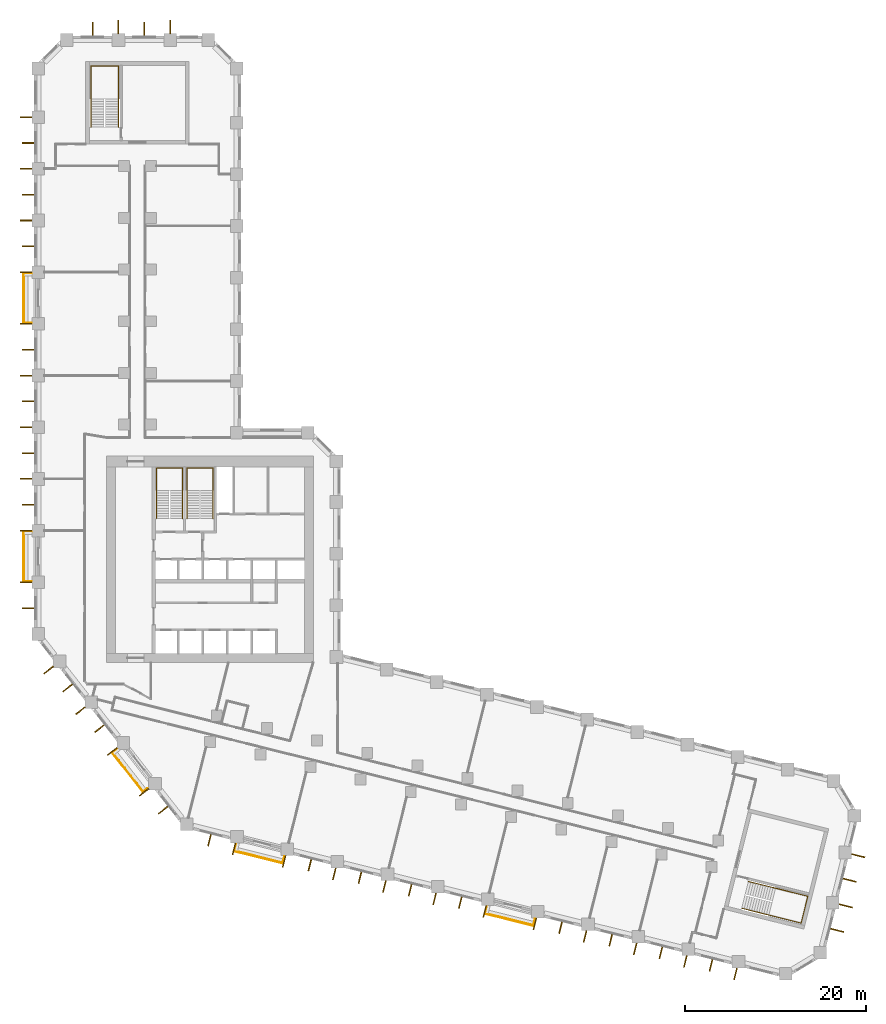
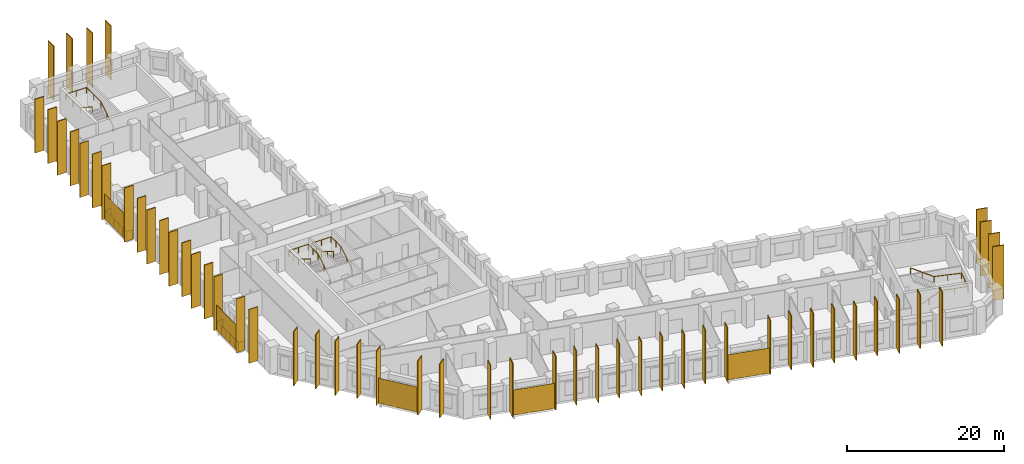
# One storey, part 12 of 12: 58 shading devices, 9 railings.
"""IFC4 building model written with IfcOpenShell, lengths in metres."""

from ifc_helpers import new_model, si_unit, direction, frame, origin, origin_2d, place, context, subcontext, project, spatial, rectangle, circle, extrude, material, layer, layer_set, type_object, element, save


model = new_model("IFC4")

# Units and contexts
model_context = context("Model", 3, precision=1e-05, world=origin(), true_north=direction((0.0, 1.0)))
body_context = subcontext(model_context, "Body", "Model", "MODEL_VIEW")
ifc_project = project(units=[si_unit("LENGTHUNIT", "METRE"), si_unit("AREAUNIT", "SQUARE_METRE"), si_unit("VOLUMEUNIT", "CUBIC_METRE"), si_unit("PLANEANGLEUNIT", "RADIAN"), si_unit("MASSUNIT", "GRAM", prefix="KILO")], contexts=[model_context])

# Site, building, storey
site_placement = place(None, origin())
site = spatial("IfcSite", under=ifc_project, at=site_placement, CompositionType="ELEMENT")
building_placement = place(site_placement, origin())
building = spatial("IfcBuilding", under=site, at=building_placement, Name="Meshkara Civic Tower", CompositionType="ELEMENT")
storey_placement = place(building_placement, frame((0.0, 0.0, 83.39990234375)))
storey = spatial("IfcBuildingStorey", under=building, at=storey_placement, Name="L18", CompositionType="ELEMENT", Elevation=83.39990234375)

# Railings
ifc_material_1 = material(Name="Steel S355", Category="steel")
railing_type_1 = type_object("IfcRailingType", Name="BALUSTRADE GUARD 1400", PredefinedType="BALUSTRADE", material=ifc_material_1)
for number, where, name in (
    (1, (-0.25, 57.034912109375, 0.0), "Balcony guard"),
    (2, (-0.25, 28.534912109375, 0.0), "Balcony guard"),
):
    element("IfcRailing", number, at=place(storey_placement, frame(where)), inside=storey, type_object=railing_type_1, Name=name, PredefinedType="BALUSTRADE", context=body_context, shape_type="SweptSolid", body=[
        extrude(circle(Radius=0.02392578125, at=origin_2d()), frame((0.0, 0.0, 1.3759765625), z_axis=(-1.0, 0.0, 0.0), x_axis=(0.0, -1.0, 0.0)), (0.0, 0.0, 1.0), 0.860107421875),
        extrude(circle(Radius=0.02392578125, at=origin_2d()), frame((-0.860107421875, 0.0, 1.3759765625), z_axis=(0.0, -1.0, 0.0), x_axis=(1.0, 0.0, 0.0)), (0.0, 0.0, 1.0), 5.4599609375),
        extrude(circle(Radius=0.02392578125, at=origin_2d()), frame((-0.860107421875, -5.4599609375, 1.3759765625), z_axis=(1.0, 0.0, 0.0), x_axis=(0.0, 1.0, 0.0)), (0.0, 0.0, 1.0), 0.860107421875),
        extrude(circle(Radius=0.02099609375, at=origin_2d()), origin(), (0.0, 0.0, 1.0), 1.351806640625),
        extrude(circle(Radius=0.02099609375, at=origin_2d()), frame((-0.860107421875, 0.0, 0.0)), (0.0, 0.0, 1.0), 1.351806640625),
        extrude(circle(Radius=0.02099609375, at=origin_2d()), frame((-0.860107421875, -1.092041015625, 0.0)), (0.0, 0.0, 1.0), 1.351806640625),
        extrude(circle(Radius=0.02099609375, at=origin_2d()), frame((-0.860107421875, -2.18408203125, 0.0)), (0.0, 0.0, 1.0), 1.351806640625),
        extrude(circle(Radius=0.02099609375, at=origin_2d()), frame((-0.860107421875, -3.27587890625, 0.0)), (0.0, 0.0, 1.0), 1.351806640625),
        extrude(circle(Radius=0.02099609375, at=origin_2d()), frame((-0.860107421875, -4.367919921875, 0.0)), (0.0, 0.0, 1.0), 1.351806640625),
        extrude(circle(Radius=0.02099609375, at=origin_2d()), frame((-0.860107421875, -5.4599609375, 0.0)), (0.0, 0.0, 1.0), 1.351806640625),
        extrude(circle(Radius=0.02099609375, at=origin_2d()), frame((0.0, -5.4599609375, 0.0)), (0.0, 0.0, 1.0), 1.351806640625),
    ])
railing_1_placement = place(storey_placement, frame((9.133056640625, 4.5458984375, 0.0)))
element("IfcRailing", 3, at=railing_1_placement, inside=storey, type_object=railing_type_1, Name="Balcony guard", PredefinedType="BALUSTRADE", context=body_context, shape_type="SweptSolid", body=[
    extrude(circle(Radius=0.02392578125, at=origin_2d()), frame((0.0, 0.0, 1.3759765625), z_axis=(-0.787665480528, -0.616103149469, 0.0), x_axis=(0.616103149469, -0.787665480528, 0.0)), (0.0, 0.0, 1.0), 0.57763671875),
    extrude(circle(Radius=0.02392578125, at=origin_2d()), frame((-0.455078125, -0.35595703125, 1.3759765625), z_axis=(0.615660530481, -0.788011491799, 0.0), x_axis=(0.788011491799, 0.615660530481, 0.0)), (0.0, 0.0, 1.0), 5.459228515625),
    extrude(circle(Radius=0.02392578125, at=origin_2d()), frame((2.906005859375, -4.657958984375, 1.3759765625), z_axis=(0.787505001008, 0.616308261658, 0.0), x_axis=(-0.616308261658, 0.787505001008, 0.0)), (0.0, 0.0, 1.0), 0.57763671875),
    extrude(circle(Radius=0.02099609375, at=origin_2d()), origin(), (0.0, 0.0, 1.0), 1.351806640625),
    extrude(circle(Radius=0.02099609375, at=origin_2d()), frame((-0.455078125, -0.35595703125, 0.0)), (0.0, 0.0, 1.0), 1.351806640625),
    extrude(circle(Radius=0.02099609375, at=origin_2d()), frame((0.217041015625, -1.21630859375, 0.0)), (0.0, 0.0, 1.0), 1.351806640625),
    extrude(circle(Radius=0.02099609375, at=origin_2d()), frame((0.889404296875, -2.07666015625, 0.0)), (0.0, 0.0, 1.0), 1.351806640625),
    extrude(circle(Radius=0.02099609375, at=origin_2d()), frame((1.5615234375, -2.937255859375, 0.0)), (0.0, 0.0, 1.0), 1.351806640625),
    extrude(circle(Radius=0.02099609375, at=origin_2d()), frame((2.23388671875, -3.797607421875, 0.0)), (0.0, 0.0, 1.0), 1.351806640625),
    extrude(circle(Radius=0.02099609375, at=origin_2d()), frame((2.906005859375, -4.657958984375, 0.0)), (0.0, 0.0, 1.0), 1.351806640625),
    extrude(circle(Radius=0.02099609375, at=origin_2d()), frame((3.36083984375, -4.302001953125, 0.0)), (0.0, 0.0, 1.0), 1.351806640625),
])
railing_2_placement = place(storey_placement, frame((22.29296875, -5.968994140625, 0.0)))
element("IfcRailing", 4, at=railing_2_placement, inside=storey, type_object=railing_type_1, Name="Balcony guard", PredefinedType="BALUSTRADE", context=body_context, shape_type="SweptSolid", body=[
    extrude(circle(Radius=0.02392578125, at=origin_2d()), frame((0.0, 0.0, 1.3759765625), z_axis=(-0.241405887632, -0.970424235794, 0.0), x_axis=(0.970424235794, -0.241405887632, 0.0)), (0.0, 0.0, 1.0), 0.7119140625),
    extrude(circle(Radius=0.02392578125, at=origin_2d()), frame((-0.171875, -0.69091796875, 1.3759765625), z_axis=(0.970321130255, -0.241819983006, 0.0), x_axis=(0.241819983006, 0.970321130255, 0.0)), (0.0, 0.0, 1.0), 5.458984375),
    extrude(circle(Radius=0.02392578125, at=origin_2d()), frame((5.125, -2.010986328125, 1.3759765625), z_axis=(0.242050887106, 0.970263555974, 0.0), x_axis=(-0.970263555974, 0.242050887106, 0.0)), (0.0, 0.0, 1.0), 0.711181640625),
    extrude(circle(Radius=0.02099609375, at=origin_2d()), origin(), (0.0, 0.0, 1.0), 1.351806640625),
    extrude(circle(Radius=0.02099609375, at=origin_2d()), frame((-0.171875, -0.69091796875, 0.0)), (0.0, 0.0, 1.0), 1.351806640625),
    extrude(circle(Radius=0.02099609375, at=origin_2d()), frame((0.887451171875, -0.954833984375, 0.0)), (0.0, 0.0, 1.0), 1.351806640625),
    extrude(circle(Radius=0.02099609375, at=origin_2d()), frame((1.94677734375, -1.218994140625, 0.0)), (0.0, 0.0, 1.0), 1.351806640625),
    extrude(circle(Radius=0.02099609375, at=origin_2d()), frame((3.00634765625, -1.48291015625, 0.0)), (0.0, 0.0, 1.0), 1.351806640625),
    extrude(circle(Radius=0.02099609375, at=origin_2d()), frame((4.065673828125, -1.7470703125, 0.0)), (0.0, 0.0, 1.0), 1.351806640625),
    extrude(circle(Radius=0.02099609375, at=origin_2d()), frame((5.125, -2.010986328125, 0.0)), (0.0, 0.0, 1.0), 1.351806640625),
    extrude(circle(Radius=0.02099609375, at=origin_2d()), frame((5.297119140625, -1.321044921875, 0.0)), (0.0, 0.0, 1.0), 1.351806640625),
])
railing_3_placement = place(storey_placement, frame((49.946044921875, -12.864013671875, 0.0)))
element("IfcRailing", 5, at=railing_3_placement, inside=storey, type_object=railing_type_1, Name="Balcony guard", PredefinedType="BALUSTRADE", context=body_context, shape_type="SweptSolid", body=[
    extrude(circle(Radius=0.02392578125, at=origin_2d()), frame((0.0, 0.0, 1.3759765625), z_axis=(-0.242050887106, -0.970263555974, 0.0), x_axis=(0.970263555974, -0.242050887106, 0.0)), (0.0, 0.0, 1.0), 0.711181640625),
    extrude(circle(Radius=0.02392578125, at=origin_2d()), frame((-0.172119140625, -0.68994140625, 1.3759765625), z_axis=(0.970292231073, -0.24193591366, 0.0), x_axis=(0.24193591366, 0.970292231073, 0.0)), (0.0, 0.0, 1.0), 5.460205078125),
    extrude(circle(Radius=0.02392578125, at=origin_2d()), frame((5.1259765625, -2.010986328125, 1.3759765625), z_axis=(0.24172762774, 0.970344142038, 0.0), x_axis=(-0.970344142038, 0.24172762774, 0.0)), (0.0, 0.0, 1.0), 0.7109375),
    extrude(circle(Radius=0.02099609375, at=origin_2d()), origin(), (0.0, 0.0, 1.0), 1.351806640625),
    extrude(circle(Radius=0.02099609375, at=origin_2d()), frame((-0.172119140625, -0.68994140625, 0.0)), (0.0, 0.0, 1.0), 1.351806640625),
    extrude(circle(Radius=0.02099609375, at=origin_2d()), frame((0.887451171875, -0.9541015625, 0.0)), (0.0, 0.0, 1.0), 1.351806640625),
    extrude(circle(Radius=0.02099609375, at=origin_2d()), frame((1.947021484375, -1.21826171875, 0.0)), (0.0, 0.0, 1.0), 1.351806640625),
    extrude(circle(Radius=0.02099609375, at=origin_2d()), frame((3.0068359375, -1.482666015625, 0.0)), (0.0, 0.0, 1.0), 1.351806640625),
    extrude(circle(Radius=0.02099609375, at=origin_2d()), frame((4.06640625, -1.746826171875, 0.0)), (0.0, 0.0, 1.0), 1.351806640625),
    extrude(circle(Radius=0.02099609375, at=origin_2d()), frame((5.1259765625, -2.010986328125, 0.0)), (0.0, 0.0, 1.0), 1.351806640625),
    extrude(circle(Radius=0.02099609375, at=origin_2d()), frame((5.2978515625, -1.321044921875, 0.0)), (0.0, 0.0, 1.0), 1.351806640625),
])

# Shading devices
ifc_material_2 = material(Name="Bronze anodised aluminium", Category="aluminium")
ifc_layer_1 = layer(ifc_material_2, 0.1201171875)
ifc_layer_set_1 = layer_set([ifc_layer_1], Name="BRONZE FIN 1300")
shading_device_type_1 = type_object("IfcShadingDeviceType", Name="BRONZE FIN 1300", PredefinedType="USERDEFINED", material=ifc_layer_set_1)
for number, where, z_axis, x_axis, name in (
    (6, (-0.89990234375, 74.2548828125, 0.000244140625), (0.0, 0.0, 1.0), (0.0, -1.0, 0.0), "Fin"),
    (7, (-0.64990234375, 71.405029296875, 0.000244140625), (0.0, 0.0, 1.0), (0.0, -1.0, 0.0), "Fin"),
    (8, (-0.89990234375, 68.554931640625, 0.000244140625), (0.0, 0.0, 1.0), (0.0, -1.0, 0.0), "Fin"),
    (9, (-0.64990234375, 65.705078125, 0.000244140625), (0.0, 0.0, 1.0), (0.0, -1.0, 0.0), "Fin"),
    (10, (-0.89990234375, 62.85498046875, 0.000244140625), (0.0, 0.0, 1.0), (0.0, -1.0, 0.0), "Fin"),
    (11, (-0.64990234375, 60.0048828125, 0.000244140625), (0.0, 0.0, 1.0), (0.0, -1.0, 0.0), "Fin"),
    (12, (-0.89990234375, 57.155029296875, 0.000244140625), (0.0, 0.0, 1.0), (0.0, -1.0, 0.0), "Fin"),
    (13, (-0.89990234375, 51.455078125, 0.000244140625), (0.0, 0.0, 1.0), (0.0, -1.0, 0.0), "Fin"),
    (14, (-0.64990234375, 48.60498046875, 0.000244140625), (0.0, 0.0, 1.0), (0.0, -1.0, 0.0), "Fin"),
    (15, (-0.89990234375, 45.7548828125, 0.000244140625), (0.0, 0.0, 1.0), (0.0, -1.0, 0.0), "Fin"),
    (16, (-0.64990234375, 42.905029296875, 0.000244140625), (0.0, 0.0, 1.0), (0.0, -1.0, 0.0), "Fin"),
    (17, (-0.89990234375, 40.054931640625, 0.000244140625), (0.0, 0.0, 1.0), (0.0, -1.0, 0.0), "Fin"),
    (18, (-0.64990234375, 37.205078125, 0.000244140625), (0.0, 0.0, 1.0), (0.0, -1.0, 0.0), "Fin"),
    (19, (-0.89990234375, 34.35498046875, 0.000244140625), (0.0, 0.0, 1.0), (0.0, -1.0, 0.0), "Fin"),
    (20, (-0.64990234375, 31.5048828125, 0.000244140625), (0.0, 0.0, 1.0), (0.0, -1.0, 0.0), "Fin"),
    (21, (-0.89990234375, 28.655029296875, 0.000244140625), (0.0, 0.0, 1.0), (0.0, -1.0, 0.0), "Fin"),
    (22, (-0.89990234375, 22.955078125, 0.000244140625), (0.0, 0.0, 1.0), (0.0, -1.0, 0.0), "Fin"),
    (23, (-0.64990234375, 20.10498046875, 0.000244140625), (0.0, 0.0, 1.0), (0.0, -1.0, 0.0), "Fin"),
    (24, (1.60205078125, 13.281982421875, 0.000244140625), (0.0, 0.0, 1.0), (0.615661475326, -0.788010753607, 0.0), "Fin"),
    (25, (3.701904296875, 11.305908203125, 0.000244140625), (0.0, 0.0, 1.0), (0.615661475326, -0.788010753607, 0.0), "Fin"),
    (26, (5.111083984375, 8.7900390625, 0.000244140625), (0.0, 0.0, 1.0), (0.615661475326, -0.788010753607, 0.0), "Fin"),
    (27, (7.2109375, 6.81396484375, 0.000244140625), (0.0, 0.0, 1.0), (0.615661475326, -0.788010753607, 0.0), "Fin"),
    (28, (8.62109375, 4.298095703125, 0.000244140625), (0.0, 0.0, 1.0), (0.615661475326, -0.788010753607, 0.0), "Fin"),
    (29, (12.1298828125, -0.193115234375, 0.000244140625), (0.0, 0.0, 1.0), (0.615661475326, -0.788010753607, 0.0), "Fin"),
    (30, (14.22998046875, -2.1689453125, 0.000244140625), (0.0, 0.0, 1.0), (0.615661475326, -0.788010753607, 0.0), "Fin"),
    (31, (19.35009765625, -5.4951171875, 0.000244140625), (0.0, 0.0, 1.0), (0.970295726276, -0.2419218956, 0.0), "Fin"),
    (32, (22.050048828125, -6.447998046875, 0.000244140625), (0.0, 0.0, 1.0), (0.970295726276, -0.2419218956, 0.0), "Fin"),
    (33, (27.580078125, -7.826904296875, 0.000244140625), (0.0, 0.0, 1.0), (0.970295726276, -0.2419218956, 0.0), "Fin"),
    (34, (30.410888671875, -8.251953125, 0.000244140625), (0.0, 0.0, 1.0), (0.970295726276, -0.2419218956, 0.0), "Fin"),
    (35, (33.111083984375, -9.2060546875, 0.000244140625), (0.0, 0.0, 1.0), (0.970295726276, -0.2419218956, 0.0), "Fin"),
    (36, (35.94189453125, -9.631103515625, 0.000244140625), (0.0, 0.0, 1.0), (0.970295726276, -0.2419218956, 0.0), "Fin"),
    (37, (38.64208984375, -10.5849609375, 0.000244140625), (0.0, 0.0, 1.0), (0.970295726276, -0.2419218956, 0.0), "Fin"),
    (38, (41.472900390625, -11.010009765625, 0.000244140625), (0.0, 0.0, 1.0), (0.970295726276, -0.2419218956, 0.0), "Fin"),
    (39, (44.173095703125, -11.962890625, 0.000244140625), (0.0, 0.0, 1.0), (0.970295726276, -0.2419218956, 0.0), "Fin"),
    (40, (47.00390625, -12.388916015625, 0.000244140625), (0.0, 0.0, 1.0), (0.970295726276, -0.2419218956, 0.0), "Fin"),
    (41, (49.702880859375, -13.342041015625, 0.000244140625), (0.0, 0.0, 1.0), (0.970295726276, -0.2419218956, 0.0), "Fin"),
    (42, (55.23388671875, -14.720947265625, 0.000244140625), (0.0, 0.0, 1.0), (0.970295726276, -0.2419218956, 0.0), "Fin"),
    (43, (58.06494140625, -15.14697265625, 0.000244140625), (0.0, 0.0, 1.0), (0.970295726276, -0.2419218956, 0.0), "Fin"),
    (44, (60.764892578125, -16.10009765625, 0.000244140625), (0.0, 0.0, 1.0), (0.970295726276, -0.2419218956, 0.0), "Fin"),
    (45, (63.595947265625, -16.52587890625, 0.000244140625), (0.0, 0.0, 1.0), (0.970295726276, -0.2419218956, 0.0), "Fin"),
    (46, (66.294921875, -17.47900390625, 0.000244140625), (0.0, 0.0, 1.0), (0.970295726276, -0.2419218956, 0.0), "Fin"),
    (47, (69.1259765625, -17.905029296875, 0.000244140625), (0.0, 0.0, 1.0), (0.970295726276, -0.2419218956, 0.0), "Fin"),
    (48, (71.825927734375, -18.85791015625, 0.000244140625), (0.0, 0.0, 1.0), (0.970295726276, -0.2419218956, 0.0), "Fin"),
    (49, (74.656982421875, -19.283935546875, 0.000244140625), (0.0, 0.0, 1.0), (0.970295726276, -0.2419218956, 0.0), "Fin"),
    (50, (77.35693359375, -20.237060546875, 0.000244140625), (0.0, 0.0, 1.0), (0.970295726276, -0.2419218956, 0.0), "Fin"),
):
    element("IfcShadingDevice", number, at=place(storey_placement, frame(where, z_axis=z_axis, x_axis=x_axis)), inside=storey, type_object=shading_device_type_1, Name=name, ObjectType="FIN", PredefinedType="USERDEFINED", context=body_context, shape_type="SweptSolid", body=[
        extrude(rectangle(XDim=0.1201171875, YDim=1.300048828125, at=origin_2d()), origin(), (0.0, 0.0, 1.0), 8.39990234375),
    ])
ifc_material_3 = material(Name="Bronze anodised aluminium", Category="aluminium")
ifc_layer_2 = layer(ifc_material_3, 0.1201171875)
ifc_layer_set_2 = layer_set([ifc_layer_2], Name="BRONZE FIN 1500")
shading_device_type_2 = type_object("IfcShadingDeviceType", Name="BRONZE FIN 1500", PredefinedType="USERDEFINED", material=ifc_layer_set_2)
for number, where, z_axis, x_axis, name in (
    (51, (15.006103515625, 84.219970703125, 0.000244140625), (0.0, 0.0, 1.0), (-1.0, 0.0, 0.0), "Fin"),
    (52, (12.156005859375, 83.969970703125, 0.000244140625), (0.0, 0.0, 1.0), (-1.0, 0.0, 0.0), "Fin"),
    (53, (9.305908203125, 84.219970703125, 0.000244140625), (0.0, 0.0, 1.0), (-1.0, 0.0, 0.0), "Fin"),
    (54, (6.4560546875, 83.969970703125, 0.000244140625), (0.0, 0.0, 1.0), (-1.0, 0.0, 0.0), "Fin"),
    (55, (88.568115234375, -15.427978515625, 0.000244140625), (0.0, 0.0, 1.0), (0.2419218956, 0.970295726276, 0.0), "Fin"),
    (56, (89.52099609375, -12.72802734375, 0.000244140625), (0.0, 0.0, 1.0), (0.2419218956, 0.970295726276, 0.0), "Fin"),
    (57, (89.947021484375, -9.89697265625, 0.000244140625), (0.0, 0.0, 1.0), (0.2419218956, 0.970295726276, 0.0), "Fin"),
    (58, (90.89990234375, -7.197998046875, 0.000244140625), (0.0, 0.0, 1.0), (0.2419218956, 0.970295726276, 0.0), "Fin"),
):
    element("IfcShadingDevice", number, at=place(storey_placement, frame(where, z_axis=z_axis, x_axis=x_axis)), inside=storey, type_object=shading_device_type_2, Name=name, ObjectType="FIN", PredefinedType="USERDEFINED", context=body_context, shape_type="SweptSolid", body=[
        extrude(rectangle(XDim=0.1201171875, YDim=1.5, at=origin_2d()), origin(), (0.0, 0.0, 1.0), 8.39990234375),
    ])
ifc_material_4 = material(Name="Perforated bronze anodised aluminium sheet", Category="aluminium")
ifc_layer_3 = layer(ifc_material_4, 0.0400390625)
ifc_layer_set_3 = layer_set([ifc_layer_3], Name="PERFORATED BRONZE SCREEN")
shading_device_type_3 = type_object("IfcShadingDeviceType", Name="PERFORATED BRONZE SCREEN", PredefinedType="USERDEFINED", material=ifc_layer_set_3)
for number, where, z_axis, x_axis, name in (
    (59, (-1.179931640625, 54.304931640625, 0.000244140625), (0.0, 0.0, 1.0), (0.0, -1.0, 0.0), "Balcony screen"),
    (60, (-1.179931640625, 25.804931640625, 0.000244140625), (0.0, 0.0, 1.0), (0.0, -1.0, 0.0), "Balcony screen"),
):
    element("IfcShadingDevice", number, at=place(storey_placement, frame(where, z_axis=z_axis, x_axis=x_axis)), inside=storey, type_object=shading_device_type_3, Name=name, ObjectType="SCREEN", PredefinedType="USERDEFINED", context=body_context, shape_type="SweptSolid", body=[
        extrude(rectangle(XDim=5.580078125, YDim=0.0400390625, at=origin_2d()), origin(), (0.0, 0.0, 1.0), 3.89990234375),
    ])
for number, where, z_axis, x_axis, name in (
    (61, (10.302978515625, 1.99609375, 0.000244140625), (0.0, 0.0, 1.0), (0.615661475326, -0.788010753607, 0.0), "Balcony screen"),
    (62, (24.7529296875, -7.387939453125, 0.000244140625), (0.0, 0.0, 1.0), (0.970295726276, -0.2419218956, 0.0), "Balcony screen"),
):
    element("IfcShadingDevice", number, at=place(storey_placement, frame(where, z_axis=z_axis, x_axis=x_axis)), inside=storey, type_object=shading_device_type_3, Name=name, ObjectType="SCREEN", PredefinedType="USERDEFINED", context=body_context, shape_type="SweptSolid", body=[
        extrude(rectangle(XDim=5.5791015625, YDim=0.0400390625, at=origin_2d()), origin(), (0.0, 0.0, 1.0), 3.89990234375),
    ])
shading_device_placement = place(storey_placement, frame((52.406005859375, -14.281982421875, 0.000244140625), z_axis=(0.0, 0.0, 1.0), x_axis=(0.970295726276, -0.2419218956, 0.0)))
element("IfcShadingDevice", 63, at=shading_device_placement, inside=storey, type_object=shading_device_type_3, Name="Balcony screen", ObjectType="SCREEN", PredefinedType="USERDEFINED", context=body_context, shape_type="SweptSolid", body=[
    extrude(rectangle(XDim=5.580078125, YDim=0.0400390625, at=origin_2d()), origin(), (0.0, 0.0, 1.0), 3.89990234375),
])

# Railings
ifc_material_5 = material(Name="Steel handrail", Category="steel")
railing_type_2 = type_object("IfcRailingType", Name="Stair handrail 900", PredefinedType="HANDRAIL", material=ifc_material_5)
railing_4_placement = place(storey_placement, frame((16.375, 30.0, 0.175048828125)))
element("IfcRailing", 64, at=railing_4_placement, inside=storey, type_object=railing_type_2, Name="L18 ST1 stair handrail 1", PredefinedType="HANDRAIL", context=body_context, shape_type="SweptSolid", body=[
    extrude(circle(Radius=0.02392578125, at=origin_2d()), frame((0.0, 0.0, 0.8759765625), z_axis=(0.0, 0.847998304005, 0.529998940003), x_axis=(-1.0, 0.0, 0.0)), (0.0, 0.0, 1.0), 3.632080078125),
    extrude(circle(Radius=0.02392578125, at=origin_2d()), frame((0.0, 3.080078125, 2.80078125), z_axis=(0.0, 1.0, 0.0), x_axis=(-1.0, 0.0, 0.0)), (0.0, 0.0, 1.0), 2.469970703125),
    extrude(circle(Radius=0.02392578125, at=origin_2d()), frame((0.0, 5.550048828125, 2.80078125), z_axis=(-1.0, 0.0, 0.0), x_axis=(0.0, -1.0, 0.0)), (0.0, 0.0, 1.0), 2.85009765625),
    extrude(circle(Radius=0.02392578125, at=origin_2d()), frame((-2.85009765625, 5.550048828125, 2.80078125), z_axis=(0.0, -0.997498084828, 0.070693498747), x_axis=(1.0, 0.0, 0.0)), (0.0, 0.0, 1.0), 2.47607421875),
    extrude(circle(Radius=0.02392578125, at=origin_2d()), frame((-2.85009765625, 3.080078125, 2.97607421875), z_axis=(0.0, -0.847998304005, 0.529998940003), x_axis=(1.0, 0.0, 0.0)), (0.0, 0.0, 1.0), 3.632080078125),
    extrude(circle(Radius=0.02099609375, at=origin_2d()), origin(), (0.0, 0.0, 1.0), 0.851806640625),
    extrude(circle(Radius=0.02099609375, at=origin_2d()), frame((0.0, 1.5400390625, 0.96240234375)), (0.0, 0.0, 1.0), 0.851806640625),
    extrude(circle(Radius=0.02099609375, at=origin_2d()), frame((0.0, 3.080078125, 1.925048828125)), (0.0, 0.0, 1.0), 0.851806640625),
    extrude(circle(Radius=0.02099609375, at=origin_2d()), frame((0.0, 4.31494140625, 1.925048828125)), (0.0, 0.0, 1.0), 0.851806640625),
    extrude(circle(Radius=0.02099609375, at=origin_2d()), frame((0.0, 5.550048828125, 1.925048828125)), (0.0, 0.0, 1.0), 0.851806640625),
    extrude(circle(Radius=0.02099609375, at=origin_2d()), frame((-1.425048828125, 5.550048828125, 1.925048828125)), (0.0, 0.0, 1.0), 0.851806640625),
    extrude(circle(Radius=0.02099609375, at=origin_2d()), frame((-2.85009765625, 5.550048828125, 1.925048828125)), (0.0, 0.0, 1.0), 0.851806640625),
    extrude(circle(Radius=0.02099609375, at=origin_2d()), frame((-2.85009765625, 4.31494140625, 2.0126953125)), (0.0, 0.0, 1.0), 0.851806640625),
    extrude(circle(Radius=0.02099609375, at=origin_2d()), frame((-2.85009765625, 3.080078125, 2.10009765625)), (0.0, 0.0, 1.0), 0.851806640625),
    extrude(circle(Radius=0.02099609375, at=origin_2d()), frame((-2.85009765625, 1.5400390625, 3.0625)), (0.0, 0.0, 1.0), 0.851806640625),
    extrude(circle(Radius=0.02099609375, at=origin_2d()), frame((-2.85009765625, 0.0, 4.025146484375)), (0.0, 0.0, 1.0), 0.851806640625),
])
railing_5_placement = place(storey_placement, frame((19.72509765625, 30.0, 0.175048828125)))
element("IfcRailing", 65, at=railing_5_placement, inside=storey, type_object=railing_type_2, Name="L18 ST2 stair handrail 1", PredefinedType="HANDRAIL", context=body_context, shape_type="SweptSolid", body=[
    extrude(circle(Radius=0.02392578125, at=origin_2d()), frame((0.0, 0.0, 0.8759765625), z_axis=(0.0, 0.847998304005, 0.529998940003), x_axis=(-1.0, 0.0, 0.0)), (0.0, 0.0, 1.0), 3.632080078125),
    extrude(circle(Radius=0.02392578125, at=origin_2d()), frame((0.0, 3.080078125, 2.80078125), z_axis=(0.0, 1.0, 0.0), x_axis=(-1.0, 0.0, 0.0)), (0.0, 0.0, 1.0), 2.469970703125),
    extrude(circle(Radius=0.02392578125, at=origin_2d()), frame((0.0, 5.550048828125, 2.80078125), z_axis=(-1.0, 0.0, 0.0), x_axis=(0.0, -1.0, 0.0)), (0.0, 0.0, 1.0), 2.85009765625),
    extrude(circle(Radius=0.02392578125, at=origin_2d()), frame((-2.85009765625, 5.550048828125, 2.80078125), z_axis=(0.0, -0.997498084828, 0.070693498747), x_axis=(1.0, 0.0, 0.0)), (0.0, 0.0, 1.0), 2.47607421875),
    extrude(circle(Radius=0.02392578125, at=origin_2d()), frame((-2.85009765625, 3.080078125, 2.97607421875), z_axis=(0.0, -0.847998304005, 0.529998940003), x_axis=(1.0, 0.0, 0.0)), (0.0, 0.0, 1.0), 3.632080078125),
    extrude(circle(Radius=0.02099609375, at=origin_2d()), origin(), (0.0, 0.0, 1.0), 0.851806640625),
    extrude(circle(Radius=0.02099609375, at=origin_2d()), frame((0.0, 1.5400390625, 0.96240234375)), (0.0, 0.0, 1.0), 0.851806640625),
    extrude(circle(Radius=0.02099609375, at=origin_2d()), frame((0.0, 3.080078125, 1.925048828125)), (0.0, 0.0, 1.0), 0.851806640625),
    extrude(circle(Radius=0.02099609375, at=origin_2d()), frame((0.0, 4.31494140625, 1.925048828125)), (0.0, 0.0, 1.0), 0.851806640625),
    extrude(circle(Radius=0.02099609375, at=origin_2d()), frame((0.0, 5.550048828125, 1.925048828125)), (0.0, 0.0, 1.0), 0.851806640625),
    extrude(circle(Radius=0.02099609375, at=origin_2d()), frame((-1.425048828125, 5.550048828125, 1.925048828125)), (0.0, 0.0, 1.0), 0.851806640625),
    extrude(circle(Radius=0.02099609375, at=origin_2d()), frame((-2.85009765625, 5.550048828125, 1.925048828125)), (0.0, 0.0, 1.0), 0.851806640625),
    extrude(circle(Radius=0.02099609375, at=origin_2d()), frame((-2.85009765625, 4.31494140625, 2.0126953125)), (0.0, 0.0, 1.0), 0.851806640625),
    extrude(circle(Radius=0.02099609375, at=origin_2d()), frame((-2.85009765625, 3.080078125, 2.10009765625)), (0.0, 0.0, 1.0), 0.851806640625),
    extrude(circle(Radius=0.02099609375, at=origin_2d()), frame((-2.85009765625, 1.5400390625, 3.0625)), (0.0, 0.0, 1.0), 0.851806640625),
    extrude(circle(Radius=0.02099609375, at=origin_2d()), frame((-2.85009765625, 0.0, 4.025146484375)), (0.0, 0.0, 1.0), 0.851806640625),
])
railing_6_placement = place(storey_placement, frame((9.324951171875, 73.169921875, 0.175048828125)))
element("IfcRailing", 66, at=railing_6_placement, inside=storey, type_object=railing_type_2, Name="L18 ESA1 stair handrail 1", PredefinedType="HANDRAIL", context=body_context, shape_type="SweptSolid", body=[
    extrude(circle(Radius=0.02392578125, at=origin_2d()), frame((0.0, 0.0, 0.8759765625), z_axis=(0.0, 0.847998304005, 0.529998940003), x_axis=(-1.0, 0.0, 0.0)), (0.0, 0.0, 1.0), 3.632080078125),
    extrude(circle(Radius=0.02392578125, at=origin_2d()), frame((0.0, 3.080078125, 2.80078125), z_axis=(0.0, 1.0, 0.0), x_axis=(-1.0, 0.0, 0.0)), (0.0, 0.0, 1.0), 3.669921875),
    extrude(circle(Radius=0.02392578125, at=origin_2d()), frame((0.0, 6.75, 2.80078125), z_axis=(-1.0, 0.0, 0.0), x_axis=(0.0, -1.0, 0.0)), (0.0, 0.0, 1.0), 3.050048828125),
    extrude(circle(Radius=0.02392578125, at=origin_2d()), frame((-3.050048828125, 6.75, 2.80078125), z_axis=(0.0, -0.998864376167, 0.047644076484), x_axis=(1.0, 0.0, 0.0)), (0.0, 0.0, 1.0), 3.674072265625),
    extrude(circle(Radius=0.02392578125, at=origin_2d()), frame((-3.050048828125, 3.080078125, 2.97607421875), z_axis=(0.0, -0.847998304005, 0.529998940003), x_axis=(1.0, 0.0, 0.0)), (0.0, 0.0, 1.0), 3.632080078125),
    extrude(circle(Radius=0.02099609375, at=origin_2d()), origin(), (0.0, 0.0, 1.0), 0.851806640625),
    extrude(circle(Radius=0.02099609375, at=origin_2d()), frame((0.0, 1.5400390625, 0.96240234375)), (0.0, 0.0, 1.0), 0.851806640625),
    extrude(circle(Radius=0.02099609375, at=origin_2d()), frame((0.0, 3.080078125, 1.925048828125)), (0.0, 0.0, 1.0), 0.851806640625),
    extrude(circle(Radius=0.02099609375, at=origin_2d()), frame((0.0, 4.9150390625, 1.925048828125)), (0.0, 0.0, 1.0), 0.851806640625),
    extrude(circle(Radius=0.02099609375, at=origin_2d()), frame((0.0, 6.75, 1.925048828125)), (0.0, 0.0, 1.0), 0.851806640625),
    extrude(circle(Radius=0.02099609375, at=origin_2d()), frame((-1.52490234375, 6.75, 1.925048828125)), (0.0, 0.0, 1.0), 0.851806640625),
    extrude(circle(Radius=0.02099609375, at=origin_2d()), frame((-3.050048828125, 6.75, 1.925048828125)), (0.0, 0.0, 1.0), 0.851806640625),
    extrude(circle(Radius=0.02099609375, at=origin_2d()), frame((-3.050048828125, 4.9150390625, 2.0126953125)), (0.0, 0.0, 1.0), 0.851806640625),
    extrude(circle(Radius=0.02099609375, at=origin_2d()), frame((-3.050048828125, 3.080078125, 2.10009765625)), (0.0, 0.0, 1.0), 0.851806640625),
    extrude(circle(Radius=0.02099609375, at=origin_2d()), frame((-3.050048828125, 1.5400390625, 3.0625)), (0.0, 0.0, 1.0), 0.851806640625),
    extrude(circle(Radius=0.02099609375, at=origin_2d()), frame((-3.050048828125, 0.0, 4.025146484375)), (0.0, 0.0, 1.0), 0.851806640625),
])
railing_7_placement = place(storey_placement, frame((78.045166015625, -12.99169921875, 0.175048828125)))
element("IfcRailing", 67, at=railing_7_placement, inside=storey, type_object=railing_type_2, Name="L18 ESB1 stair handrail 1", PredefinedType="HANDRAIL", context=body_context, shape_type="SweptSolid", body=[
    extrude(circle(Radius=0.02392578125, at=origin_2d()), frame((0.0, 0.0, 0.8759765625), z_axis=(0.822781968105, -0.205275396666, 0.529992306062), x_axis=(0.242069343812, 0.970258951408, 0.0)), (0.0, 0.0, 1.0), 3.63232421875),
    extrude(circle(Radius=0.02392578125, at=origin_2d()), frame((2.988525390625, -0.74560546875, 2.80078125), z_axis=(0.970255876456, -0.242081668456, 0.0), x_axis=(0.242081668456, 0.970255876456, 0.0)), (0.0, 0.0, 1.0), 3.669921875),
    extrude(circle(Radius=0.02392578125, at=origin_2d()), frame((6.54931640625, -1.634033203125, 2.80078125), z_axis=(0.242064726708, 0.970260103315, 0.0), x_axis=(-0.970260103315, 0.242064726708, 0.0)), (0.0, 0.0, 1.0), 3.050048828125),
    extrude(circle(Radius=0.02392578125, at=origin_2d()), frame((7.28759765625, 1.3251953125, 2.80078125), z_axis=(-0.969154047904, 0.241806759021, 0.047643706023), x_axis=(-0.242081668456, -0.970255876456, 0.0)), (0.0, 0.0, 1.0), 3.674072265625),
    extrude(circle(Radius=0.02392578125, at=origin_2d()), frame((3.726806640625, 2.213623046875, 2.97607421875), z_axis=(-0.822781968105, 0.205275396666, 0.529992306062), x_axis=(-0.242069343812, -0.970258951408, 0.0)), (0.0, 0.0, 1.0), 3.63232421875),
    extrude(circle(Radius=0.02099609375, at=origin_2d()), origin(), (0.0, 0.0, 1.0), 0.851806640625),
    extrude(circle(Radius=0.02099609375, at=origin_2d()), frame((1.494140625, -0.372802734375, 0.96240234375)), (0.0, 0.0, 1.0), 0.851806640625),
    extrude(circle(Radius=0.02099609375, at=origin_2d()), frame((2.988525390625, -0.74560546875, 1.925048828125)), (0.0, 0.0, 1.0), 0.851806640625),
    extrude(circle(Radius=0.02099609375, at=origin_2d()), frame((4.76904296875, -1.18994140625, 1.925048828125)), (0.0, 0.0, 1.0), 0.851806640625),
    extrude(circle(Radius=0.02099609375, at=origin_2d()), frame((6.54931640625, -1.634033203125, 1.925048828125)), (0.0, 0.0, 1.0), 0.851806640625),
    extrude(circle(Radius=0.02099609375, at=origin_2d()), frame((6.91845703125, -0.154296875, 1.925048828125)), (0.0, 0.0, 1.0), 0.851806640625),
    extrude(circle(Radius=0.02099609375, at=origin_2d()), frame((7.28759765625, 1.3251953125, 1.925048828125)), (0.0, 0.0, 1.0), 0.851806640625),
    extrude(circle(Radius=0.02099609375, at=origin_2d()), frame((5.50732421875, 1.76953125, 2.0126953125)), (0.0, 0.0, 1.0), 0.851806640625),
    extrude(circle(Radius=0.02099609375, at=origin_2d()), frame((3.726806640625, 2.213623046875, 2.10009765625)), (0.0, 0.0, 1.0), 0.851806640625),
    extrude(circle(Radius=0.02099609375, at=origin_2d()), frame((2.232421875, 2.58642578125, 3.0625)), (0.0, 0.0, 1.0), 0.851806640625),
    extrude(circle(Radius=0.02099609375, at=origin_2d()), frame((0.73828125, 2.959228515625, 4.025146484375)), (0.0, 0.0, 1.0), 0.851806640625),
])

save(model, "model.ifc")
